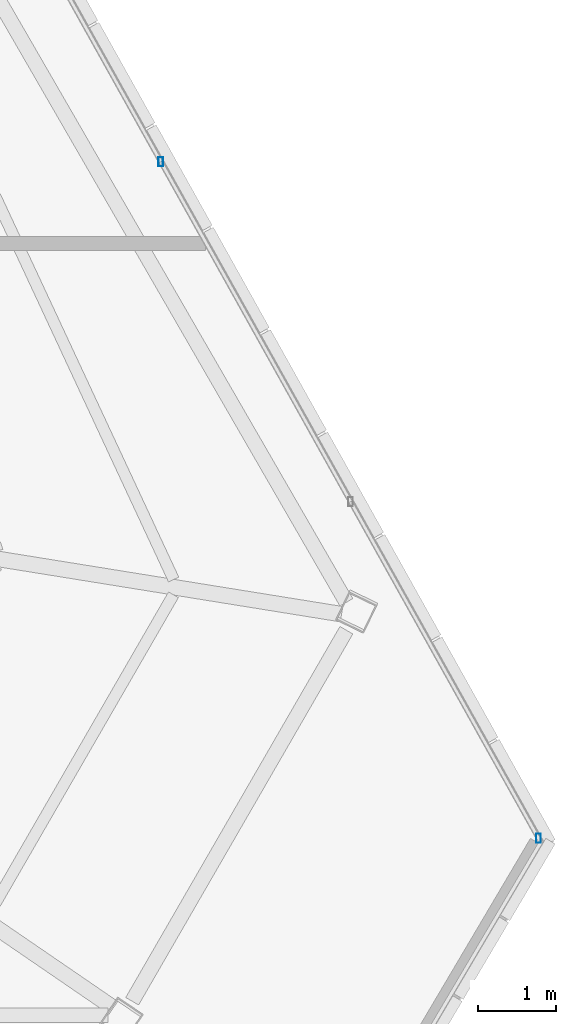
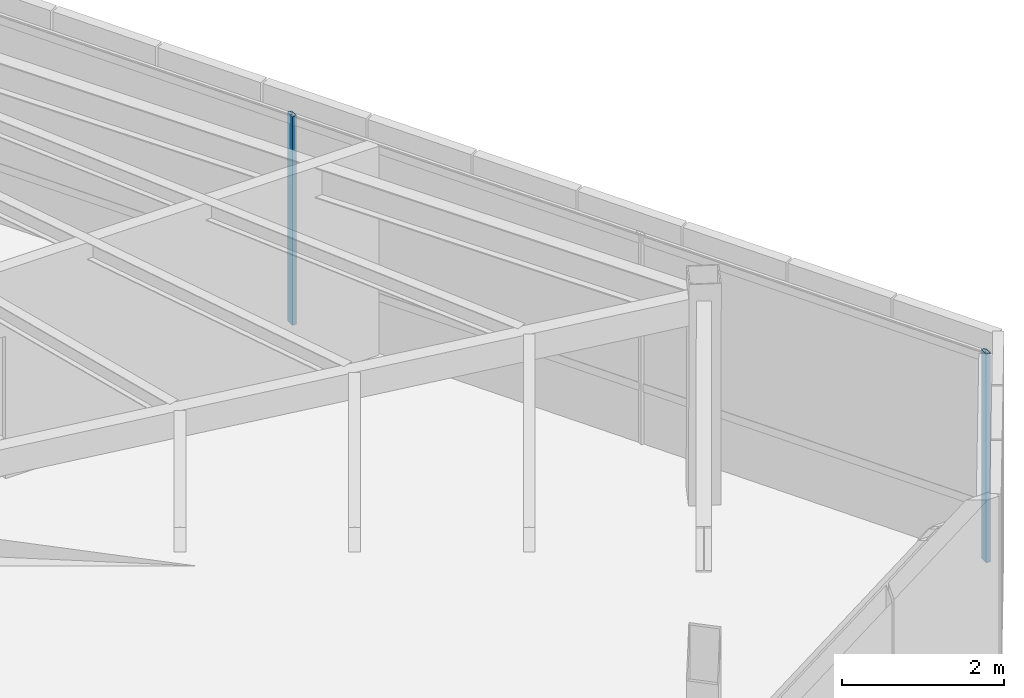
# One storey, part 27 of 44: 2 members, 1 element without a shape of its own.
"""IFC4 building model written with IfcOpenShell, lengths in metres."""

from ifc_helpers import new_model, si_unit, direction, frame, origin, origin_2d, place, context, subcontext, project, spatial, hollow_rectangle, extrude, source, transform, mapped, material, material_profile, profile_set, type_object, type_shapes, element, aggregate, save


model = new_model("IFC4")

# Units and contexts
model_context = context("Model", 3, precision=1e-05, world=origin(), true_north=direction((0.0, 1.0)))
body_context = subcontext(model_context, "Body", "Model", "MODEL_VIEW")
ifc_project = project(units=[si_unit("LENGTHUNIT", "METRE"), si_unit("AREAUNIT", "SQUARE_METRE"), si_unit("VOLUMEUNIT", "CUBIC_METRE"), si_unit("PLANEANGLEUNIT", "RADIAN"), si_unit("MASSUNIT", "GRAM", prefix="KILO")], contexts=[model_context])

# Site, building, storey
site_placement = place(None, origin())
site = spatial("IfcSite", under=ifc_project, at=site_placement, CompositionType="ELEMENT")
building_placement = place(site_placement, origin())
building = spatial("IfcBuilding", under=site, at=building_placement, Name="Caelisora Broadcast Tower", CompositionType="ELEMENT")
storey_placement = place(building_placement, frame((0.0, 0.0, 289.800048828125)))
storey = spatial("IfcBuildingStorey", under=building, at=storey_placement, Name="L76", CompositionType="ELEMENT", Elevation=289.800048828125)

# Curtain wall, members
ifc_material_1 = material(Name="Unitised Aluminium Insulated Shadow-Box Spandrel Curtain Wall", Category="aluminium")
curtain_wall_type = type_object("IfcCurtainWallType", Name="CW-SP3", PredefinedType="NOTDEFINED", material=ifc_material_1)
curtain_wall_placement = place(storey_placement, origin())
curtain_wall = element("IfcCurtainWall", 1, at=curtain_wall_placement, inside=storey, type_object=curtain_wall_type, Name="L76 curtain wall CW-SP3", PredefinedType="NOTDEFINED")
ifc_material_2 = material(Name="Aluminium 6063-T6 Anodised Terracotta Bronze", Category="aluminium")
ifc_material_profile = material_profile(ifc_material_2, hollow_rectangle(XDim=0.06005859375, YDim=0.1201171875, WallThickness=0.0029296875, at=origin_2d()), Name="Aluminium 6063-T6 Anodised Terracotta Bronze")
ifc_profile_set = profile_set([ifc_material_profile], Name="Aluminium 6063-T6 Anodised Terracotta Bronze")
member_type = type_object("IfcMemberType", Name="CWM-04", PredefinedType="MULLION", material=ifc_profile_set)
shared_shape = source(origin(), body_context, "Body", "SweptSolid", [
    extrude(hollow_rectangle(XDim=0.06005859375, YDim=0.1201171875, WallThickness=0.0029296875, at=origin_2d()), origin(), (0.0, 0.0, 1.0), 3.14990234375),
])
type_shapes(member_type, [shared_shape])
member_1_placement = place(storey_placement, frame((56.68212890625, 21.0537109375, 0.0), z_axis=(0.0, 0.0, 1.0), x_axis=(1.0, 0.0, 0.0)))
member_1 = element("IfcMember", 2, at=member_1_placement, type_object=member_type, Name="L76-CW-B03 mullion #1", PredefinedType="MULLION", context=body_context, shape_type="MappedRepresentation", body=[
    mapped(shared_shape, transform((0.0, 0.0, 0.0), scale=1.0)),
])
member_2_placement = place(storey_placement, frame((61.546630859375, 12.3408203125, 0.0), z_axis=(0.0, 0.0, 1.0), x_axis=(1.0, 0.0, 0.0)))
member_2 = element("IfcMember", 3, at=member_2_placement, type_object=member_type, Name="L76-CW-B03 mullion #3", PredefinedType="MULLION", context=body_context, shape_type="MappedRepresentation", body=[
    mapped(shared_shape, transform((0.0, 0.0, 0.0), scale=1.0)),
])
aggregate(curtain_wall, [member_1, member_2])

save(model, "model.ifc")
